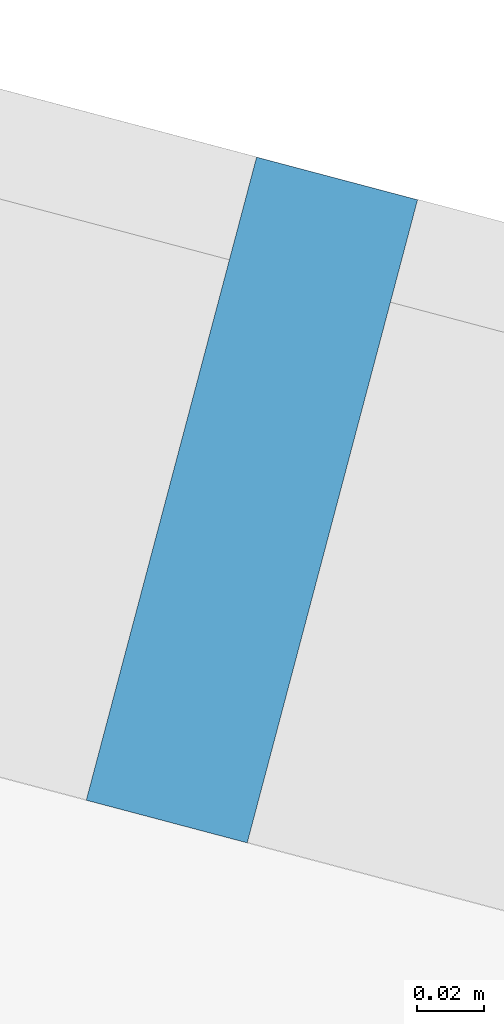
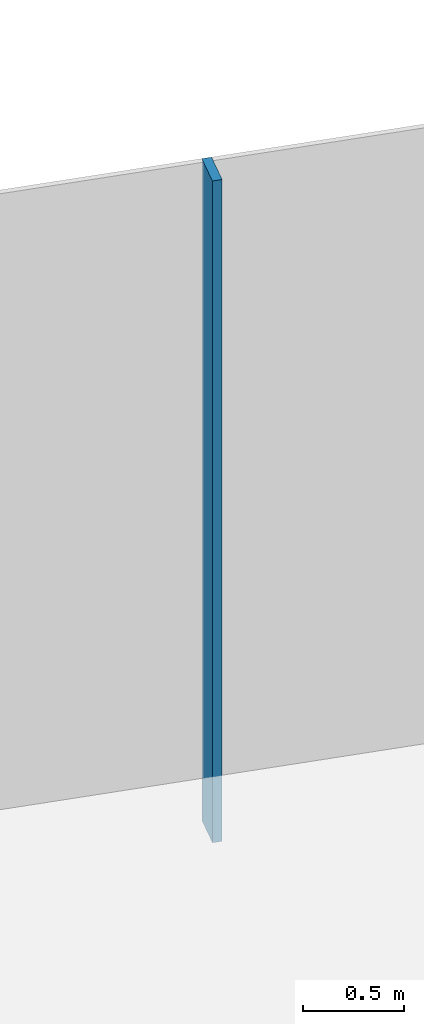
# One storey, part 16 of 34: 1 member, 1 element without a shape of its own.
"""IFC4 building model written with IfcOpenShell, lengths in metres."""

from ifc_helpers import new_model, si_unit, direction, frame, origin, origin_2d, place, context, subcontext, project, spatial, rectangle, extrude, material, material_profile, profile_set, type_object, element, aggregate, save


model = new_model("IFC4")

# Units and contexts
model_context = context("Model", 3, precision=1e-05, world=origin(), true_north=direction((0.0, 1.0)))
body_context = subcontext(model_context, "Body", "Model", "MODEL_VIEW")
ifc_project = project(units=[si_unit("LENGTHUNIT", "METRE"), si_unit("AREAUNIT", "SQUARE_METRE"), si_unit("VOLUMEUNIT", "CUBIC_METRE"), si_unit("PLANEANGLEUNIT", "RADIAN"), si_unit("MASSUNIT", "GRAM", prefix="KILO")], contexts=[model_context])

# Site, building, storey
site_placement = place(None, origin())
site = spatial("IfcSite", under=ifc_project, at=site_placement, CompositionType="ELEMENT")
building_placement = place(site_placement, origin())
building = spatial("IfcBuilding", under=site, at=building_placement, Name="Orlundy Tower", CompositionType="ELEMENT")
storey_placement = place(building_placement, frame((0.0, 0.0, 98.199951171875)))
storey = spatial("IfcBuildingStorey", under=building, at=storey_placement, Name="L24", CompositionType="ELEMENT", Elevation=98.199951171875)

# Curtain wall, member
ifc_material_1 = material(Name="Aluminium bronze anodised", Category="aluminium")
curtain_wall_type = type_object("IfcCurtainWallType", Name="CW5 wall", PredefinedType="NOTDEFINED", material=ifc_material_1)
curtain_wall_placement = place(storey_placement, origin())
curtain_wall = element("IfcCurtainWall", 1, at=curtain_wall_placement, inside=storey, type_object=curtain_wall_type, Name="CW5 run 029", PredefinedType="NOTDEFINED")
ifc_material_2 = material(Name="Aluminium bronze anodised", Category="aluminium")
ifc_material_profile = material_profile(ifc_material_2, rectangle(XDim=0.199951171875, YDim=0.050048828125, at=origin_2d()), Name="CW5 mullion 50x200")
ifc_profile_set = profile_set([ifc_material_profile], Name="Aluminium bronze anodised")
member_type = type_object("IfcMemberType", Name="CW5 mullion 50x200", PredefinedType="MULLION", material=ifc_profile_set)
member_placement = place(storey_placement, frame((49.91845703125, 7.572998046875, -0.39990234375), z_axis=(0.0, 0.0, 1.0), x_axis=(0.256032403312, 0.966668199774, 0.0)))
member = element("IfcMember", 2, at=member_placement, type_object=member_type, Name="CW5 mullion 55", PredefinedType="MULLION", context=body_context, shape_type="SweptSolid", body=[
    extrude(rectangle(XDim=0.199951171875, YDim=0.050048828125, at=origin_2d()), origin(), (0.0, 0.0, 1.0), 4.0),
])
aggregate(curtain_wall, [member])

save(model, "model.ifc")
